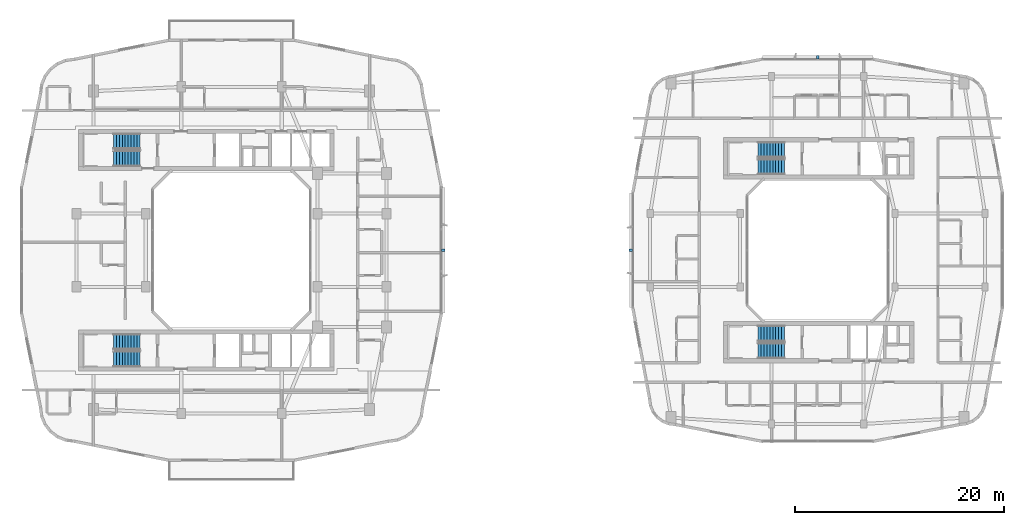
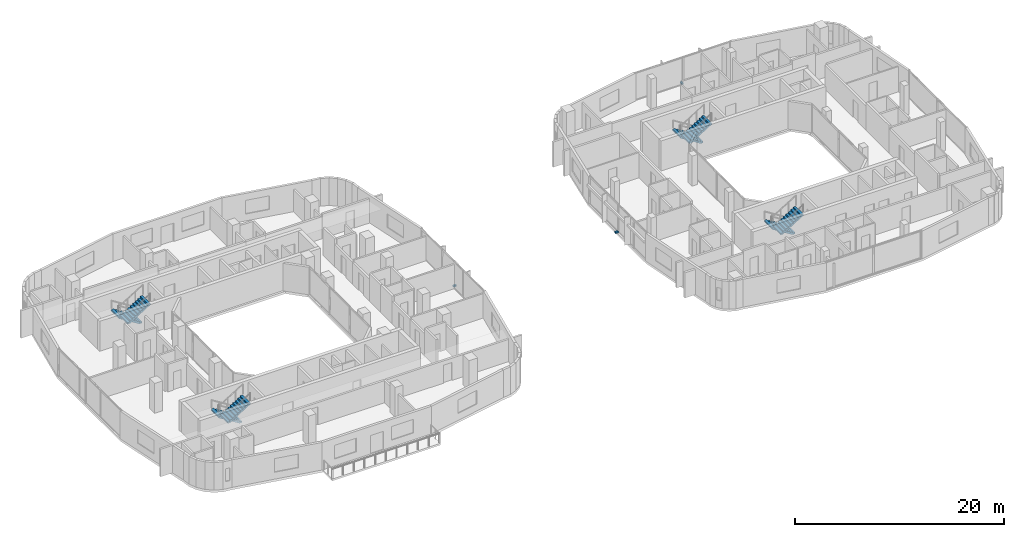
# One storey, part 21 of 26: 8 stair flights, 3 discrete accessories, 4 elements without a shape of their own.
"""IFC4 building model written with IfcOpenShell, lengths in metres."""

from ifc_helpers import new_model, si_unit, derived_unit, direction, frame, origin, origin_2d, place, context, subcontext, project, spatial, polyline, rectangle, outline, extrude, material, type_object, element, aggregate, save


model = new_model("IFC4")

# Units and contexts
model_context = context("Model", 3, precision=1e-05, world=origin(), true_north=direction((0.0, 1.0)))
body_context = subcontext(model_context, "Body", "Model", "MODEL_VIEW")
ifc_project = project(units=[si_unit("LENGTHUNIT", "METRE"), si_unit("AREAUNIT", "SQUARE_METRE"), si_unit("VOLUMEUNIT", "CUBIC_METRE"), si_unit("PLANEANGLEUNIT", "RADIAN"), si_unit("MASSUNIT", "GRAM", prefix="KILO"), derived_unit("THERMALTRANSMITTANCEUNIT", [(si_unit("POWERUNIT", "WATT"), 1), (si_unit("LENGTHUNIT", "METRE"), -2), (si_unit("THERMODYNAMICTEMPERATUREUNIT", "KELVIN"), -1)])], contexts=[model_context])

# Site, building, storey
site_placement = place(None, origin())
site = spatial("IfcSite", under=ifc_project, at=site_placement, CompositionType="ELEMENT")
building_placement = place(site_placement, origin())
building = spatial("IfcBuilding", under=site, at=building_placement, Name="Kivonza Crest Hotel", CompositionType="ELEMENT")
storey_placement = place(building_placement, frame((0.0, 0.0, 95.0)))
storey = spatial("IfcBuildingStorey", under=building, at=storey_placement, Name="L25", CompositionType="ELEMENT", Elevation=95.0)

# Stair, stair flights
ifc_material_1 = material(Name="Concrete C40/50", Category="concrete")
stair_type = type_object("IfcStairType", Name="ST-DL-20R", PredefinedType="HALF_TURN_STAIR", material=ifc_material_1)
stair_1_placement = place(storey_placement, origin())
stair_1 = element("IfcStair", 1, at=stair_1_placement, inside=storey, type_object=stair_type, Name="L25 Protected Exit Stair ST-T1-N", PredefinedType="HALF_TURN_STAIR")
stair_flight_type = type_object("IfcStairFlightType", Name="SFL-RC-10R", PredefinedType="STRAIGHT", material=ifc_material_1)
stair_flight_1_placement = place(storey_placement, frame((12.239990234375, 35.409912109375, 0.0), z_axis=(0.0, 0.0, 1.0), x_axis=(-1.0, 0.0, 0.0)))
stair_flight_1 = element("IfcStairFlight", 2, at=stair_flight_1_placement, type_object=stair_flight_type, Name="ST-T1-N flight 1", NumberOfRisers=10, NumberOfTreads=9, PredefinedType="STRAIGHT", RiserHeight=0.175, TreadLength=0.28, context=body_context, shape_type="SweptSolid", body=[
    extrude(outline(polyline([(0.0, 0.0), (0.0, 0.175048828125), (0.280029296875, 0.175048828125), (0.280029296875, 0.35009765625), (0.56005859375, 0.35009765625), (0.56005859375, 0.52490234375), (0.840087890625, 0.52490234375), (0.840087890625, 0.699951171875), (1.1201171875, 0.699951171875), (1.1201171875, 0.875), (1.39990234375, 0.875), (1.39990234375, 1.050048828125), (1.679931640625, 1.050048828125), (1.679931640625, 1.22509765625), (1.9599609375, 1.22509765625), (1.9599609375, 1.39990234375), (2.239990234375, 1.39990234375), (2.239990234375, 1.574951171875), (2.52001953125, 1.574951171875), (2.52001953125, 1.75), (2.52001953125, 1.398193359375), (0.28271484375, 0.0), (0.0, 0.0)])), frame((0.0, 0.75, 0.0), z_axis=(0.0, -1.0, 0.0), x_axis=(1.0, 0.0, 0.0)), (0.0, 0.0, 1.0), 1.5),
])
stair_flight_2_placement = place(storey_placement, frame((9.719970703125, 33.77001953125, 1.75), z_axis=(0.0, 0.0, 1.0), x_axis=(1.0, 0.0, 0.0)))
stair_flight_2 = element("IfcStairFlight", 3, at=stair_flight_2_placement, type_object=stair_flight_type, Name="ST-T1-N flight 2", NumberOfRisers=10, NumberOfTreads=9, PredefinedType="STRAIGHT", RiserHeight=0.175, TreadLength=0.28, context=body_context, shape_type="SweptSolid", body=[
    extrude(outline(polyline([(0.0, 0.0), (0.0, 0.175048828125), (0.280029296875, 0.175048828125), (0.280029296875, 0.35009765625), (0.56005859375, 0.35009765625), (0.56005859375, 0.52490234375), (0.840087890625, 0.52490234375), (0.840087890625, 0.699951171875), (1.1201171875, 0.699951171875), (1.1201171875, 0.875), (1.39990234375, 0.875), (1.39990234375, 1.050048828125), (1.679931640625, 1.050048828125), (1.679931640625, 1.22509765625), (1.9599609375, 1.22509765625), (1.9599609375, 1.39990234375), (2.239990234375, 1.39990234375), (2.239990234375, 1.574951171875), (2.52001953125, 1.574951171875), (2.52001953125, 1.75), (2.52001953125, 1.398193359375), (0.28271484375, 0.0), (0.0, 0.0)])), frame((0.0, 0.75, 0.0), z_axis=(0.0, -1.0, 0.0), x_axis=(1.0, 0.0, 0.0)), (0.0, 0.0, 1.0), 1.5),
])
aggregate(stair_1, [stair_flight_1, stair_flight_2])

stair_2_placement = place(storey_placement, origin())
stair_2 = element("IfcStair", 4, at=stair_2_placement, inside=storey, type_object=stair_type, Name="L25 Protected Exit Stair ST-T1-S", PredefinedType="HALF_TURN_STAIR")
stair_flight_3_placement = place(storey_placement, frame((12.239990234375, 16.25, 0.0), z_axis=(0.0, 0.0, 1.0), x_axis=(-1.0, 0.0, 0.0)))
stair_flight_3 = element("IfcStairFlight", 5, at=stair_flight_3_placement, type_object=stair_flight_type, Name="ST-T1-S flight 1", NumberOfRisers=10, NumberOfTreads=9, PredefinedType="STRAIGHT", RiserHeight=0.175, TreadLength=0.28, context=body_context, shape_type="SweptSolid", body=[
    extrude(outline(polyline([(0.0, 0.0), (0.0, 0.175048828125), (0.280029296875, 0.175048828125), (0.280029296875, 0.35009765625), (0.56005859375, 0.35009765625), (0.56005859375, 0.52490234375), (0.840087890625, 0.52490234375), (0.840087890625, 0.699951171875), (1.1201171875, 0.699951171875), (1.1201171875, 0.875), (1.39990234375, 0.875), (1.39990234375, 1.050048828125), (1.679931640625, 1.050048828125), (1.679931640625, 1.22509765625), (1.9599609375, 1.22509765625), (1.9599609375, 1.39990234375), (2.239990234375, 1.39990234375), (2.239990234375, 1.574951171875), (2.52001953125, 1.574951171875), (2.52001953125, 1.75), (2.52001953125, 1.398193359375), (0.28271484375, 0.0), (0.0, 0.0)])), frame((0.0, 0.75, 0.0), z_axis=(0.0, -1.0, 0.0), x_axis=(1.0, 0.0, 0.0)), (0.0, 0.0, 1.0), 1.5),
])
stair_flight_4_placement = place(storey_placement, frame((9.719970703125, 14.610107421875, 1.75), z_axis=(0.0, 0.0, 1.0), x_axis=(1.0, 0.0, 0.0)))
stair_flight_4 = element("IfcStairFlight", 6, at=stair_flight_4_placement, type_object=stair_flight_type, Name="ST-T1-S flight 2", NumberOfRisers=10, NumberOfTreads=9, PredefinedType="STRAIGHT", RiserHeight=0.175, TreadLength=0.28, context=body_context, shape_type="SweptSolid", body=[
    extrude(outline(polyline([(0.0, 0.0), (0.0, 0.175048828125), (0.280029296875, 0.175048828125), (0.280029296875, 0.35009765625), (0.56005859375, 0.35009765625), (0.56005859375, 0.52490234375), (0.840087890625, 0.52490234375), (0.840087890625, 0.699951171875), (1.1201171875, 0.699951171875), (1.1201171875, 0.875), (1.39990234375, 0.875), (1.39990234375, 1.050048828125), (1.679931640625, 1.050048828125), (1.679931640625, 1.22509765625), (1.9599609375, 1.22509765625), (1.9599609375, 1.39990234375), (2.239990234375, 1.39990234375), (2.239990234375, 1.574951171875), (2.52001953125, 1.574951171875), (2.52001953125, 1.75), (2.52001953125, 1.398193359375), (0.28271484375, 0.0), (0.0, 0.0)])), frame((0.0, 0.75, 0.0), z_axis=(0.0, -1.0, 0.0), x_axis=(1.0, 0.0, 0.0)), (0.0, 0.0, 1.0), 1.5),
])
aggregate(stair_2, [stair_flight_3, stair_flight_4])

stair_3_placement = place(storey_placement, origin())
stair_3 = element("IfcStair", 7, at=stair_3_placement, inside=storey, type_object=stair_type, Name="L25 Protected Exit Stair ST-T2-N", PredefinedType="HALF_TURN_STAIR")
stair_flight_5_placement = place(storey_placement, frame((73.840087890625, 34.610107421875, 0.0), z_axis=(0.0, 0.0, 1.0), x_axis=(-1.0, 0.0, 0.0)))
stair_flight_5 = element("IfcStairFlight", 8, at=stair_flight_5_placement, type_object=stair_flight_type, Name="ST-T2-N flight 1", NumberOfRisers=10, NumberOfTreads=9, PredefinedType="STRAIGHT", RiserHeight=0.175, TreadLength=0.28, context=body_context, shape_type="SweptSolid", body=[
    extrude(outline(polyline([(0.0, 0.0), (0.0, 0.175048828125), (0.280029296875, 0.175048828125), (0.280029296875, 0.35009765625), (0.56005859375, 0.35009765625), (0.56005859375, 0.52490234375), (0.840087890625, 0.52490234375), (0.840087890625, 0.699951171875), (1.1201171875, 0.699951171875), (1.1201171875, 0.875), (1.39990234375, 0.875), (1.39990234375, 1.050048828125), (1.679931640625, 1.050048828125), (1.679931640625, 1.22509765625), (1.9599609375, 1.22509765625), (1.9599609375, 1.39990234375), (2.239990234375, 1.39990234375), (2.239990234375, 1.574951171875), (2.52001953125, 1.574951171875), (2.52001953125, 1.75), (2.52001953125, 1.398193359375), (0.28271484375, 0.0), (0.0, 0.0)])), frame((0.0, 0.75, 0.0), z_axis=(0.0, -1.0, 0.0), x_axis=(1.0, 0.0, 0.0)), (0.0, 0.0, 1.0), 1.5),
])
stair_flight_6_placement = place(storey_placement, frame((71.320068359375, 32.969970703125, 1.75), z_axis=(0.0, 0.0, 1.0), x_axis=(1.0, 0.0, 0.0)))
stair_flight_6 = element("IfcStairFlight", 9, at=stair_flight_6_placement, type_object=stair_flight_type, Name="ST-T2-N flight 2", NumberOfRisers=10, NumberOfTreads=9, PredefinedType="STRAIGHT", RiserHeight=0.175, TreadLength=0.28, context=body_context, shape_type="SweptSolid", body=[
    extrude(outline(polyline([(0.0, 0.0), (0.0, 0.175048828125), (0.280029296875, 0.175048828125), (0.280029296875, 0.35009765625), (0.56005859375, 0.35009765625), (0.56005859375, 0.52490234375), (0.840087890625, 0.52490234375), (0.840087890625, 0.699951171875), (1.1201171875, 0.699951171875), (1.1201171875, 0.875), (1.39990234375, 0.875), (1.39990234375, 1.050048828125), (1.679931640625, 1.050048828125), (1.679931640625, 1.22509765625), (1.9599609375, 1.22509765625), (1.9599609375, 1.39990234375), (2.239990234375, 1.39990234375), (2.239990234375, 1.574951171875), (2.52001953125, 1.574951171875), (2.52001953125, 1.75), (2.52001953125, 1.398193359375), (0.28271484375, 0.0), (0.0, 0.0)])), frame((0.0, 0.75, 0.0), z_axis=(0.0, -1.0, 0.0), x_axis=(1.0, 0.0, 0.0)), (0.0, 0.0, 1.0), 1.5),
])
aggregate(stair_3, [stair_flight_5, stair_flight_6])

stair_4_placement = place(storey_placement, origin())
stair_4 = element("IfcStair", 10, at=stair_4_placement, inside=storey, type_object=stair_type, Name="L25 Protected Exit Stair ST-T2-S", PredefinedType="HALF_TURN_STAIR")
stair_flight_7_placement = place(storey_placement, frame((73.840087890625, 17.050048828125, 0.0), z_axis=(0.0, 0.0, 1.0), x_axis=(-1.0, 0.0, 0.0)))
stair_flight_7 = element("IfcStairFlight", 11, at=stair_flight_7_placement, type_object=stair_flight_type, Name="ST-T2-S flight 1", NumberOfRisers=10, NumberOfTreads=9, PredefinedType="STRAIGHT", RiserHeight=0.175, TreadLength=0.28, context=body_context, shape_type="SweptSolid", body=[
    extrude(outline(polyline([(0.0, 0.0), (0.0, 0.175048828125), (0.280029296875, 0.175048828125), (0.280029296875, 0.35009765625), (0.56005859375, 0.35009765625), (0.56005859375, 0.52490234375), (0.840087890625, 0.52490234375), (0.840087890625, 0.699951171875), (1.1201171875, 0.699951171875), (1.1201171875, 0.875), (1.39990234375, 0.875), (1.39990234375, 1.050048828125), (1.679931640625, 1.050048828125), (1.679931640625, 1.22509765625), (1.9599609375, 1.22509765625), (1.9599609375, 1.39990234375), (2.239990234375, 1.39990234375), (2.239990234375, 1.574951171875), (2.52001953125, 1.574951171875), (2.52001953125, 1.75), (2.52001953125, 1.398193359375), (0.28271484375, 0.0), (0.0, 0.0)])), frame((0.0, 0.75, 0.0), z_axis=(0.0, -1.0, 0.0), x_axis=(1.0, 0.0, 0.0)), (0.0, 0.0, 1.0), 1.5),
])
stair_flight_8_placement = place(storey_placement, frame((71.320068359375, 15.409912109375, 1.75), z_axis=(0.0, 0.0, 1.0), x_axis=(1.0, 0.0, 0.0)))
stair_flight_8 = element("IfcStairFlight", 12, at=stair_flight_8_placement, type_object=stair_flight_type, Name="ST-T2-S flight 2", NumberOfRisers=10, NumberOfTreads=9, PredefinedType="STRAIGHT", RiserHeight=0.175, TreadLength=0.28, context=body_context, shape_type="SweptSolid", body=[
    extrude(outline(polyline([(0.0, 0.0), (0.0, 0.175048828125), (0.280029296875, 0.175048828125), (0.280029296875, 0.35009765625), (0.56005859375, 0.35009765625), (0.56005859375, 0.52490234375), (0.840087890625, 0.52490234375), (0.840087890625, 0.699951171875), (1.1201171875, 0.699951171875), (1.1201171875, 0.875), (1.39990234375, 0.875), (1.39990234375, 1.050048828125), (1.679931640625, 1.050048828125), (1.679931640625, 1.22509765625), (1.9599609375, 1.22509765625), (1.9599609375, 1.39990234375), (2.239990234375, 1.39990234375), (2.239990234375, 1.574951171875), (2.52001953125, 1.574951171875), (2.52001953125, 1.75), (2.52001953125, 1.398193359375), (0.28271484375, 0.0), (0.0, 0.0)])), frame((0.0, 0.75, 0.0), z_axis=(0.0, -1.0, 0.0), x_axis=(1.0, 0.0, 0.0)), (0.0, 0.0, 1.0), 1.5),
])
aggregate(stair_4, [stair_flight_7, stair_flight_8])

# Discrete accessories
ifc_material_2 = material(Name="Stainless steel 316", Category="steel")
discrete_accessory_type = type_object("IfcDiscreteAccessoryType", Name="AC-BRACKET-240", PredefinedType="BRACKET", material=ifc_material_2)
for number, where, z_axis, x_axis, name in (
    (13, (41.239990234375, 25.0, -0.009765625), (0.0, 0.0, 1.0), (0.0, 1.0, 0.0), "L25 terracotta baguette support bracket CW-T1-L25-17"),
    (14, (77.0, 43.43994140625, -0.009765625), (0.0, 0.0, 1.0), (-1.0, 0.0, 0.0), "L25 terracotta baguette support bracket CW-T2-L25-26"),
    (15, (59.159912109375, 25.0, -0.009765625), (0.0, 0.0, 1.0), (0.0, -1.0, 0.0), "L25 terracotta baguette support bracket CW-T2-L25-35"),
):
    element("IfcDiscreteAccessory", number, at=place(storey_placement, frame(where, z_axis=z_axis, x_axis=x_axis)), inside=storey, type_object=discrete_accessory_type, Name=name, PredefinedType="BRACKET", context=body_context, shape_type="SweptSolid", body=[
        extrude(rectangle(XDim=0.219970703125, YDim=0.340087890625, at=origin_2d()), origin(), (0.0, 0.0, 1.0), 0.179931640625),
    ])

save(model, "model.ifc")
